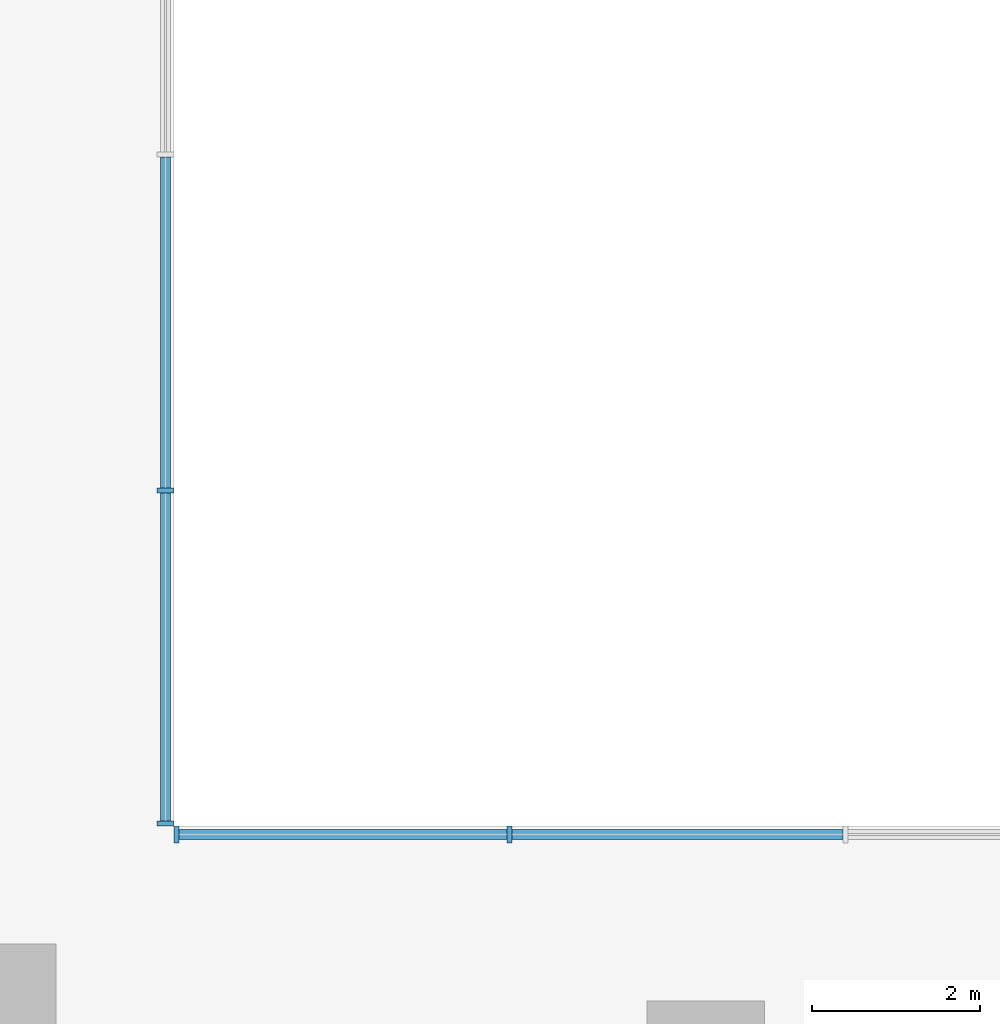
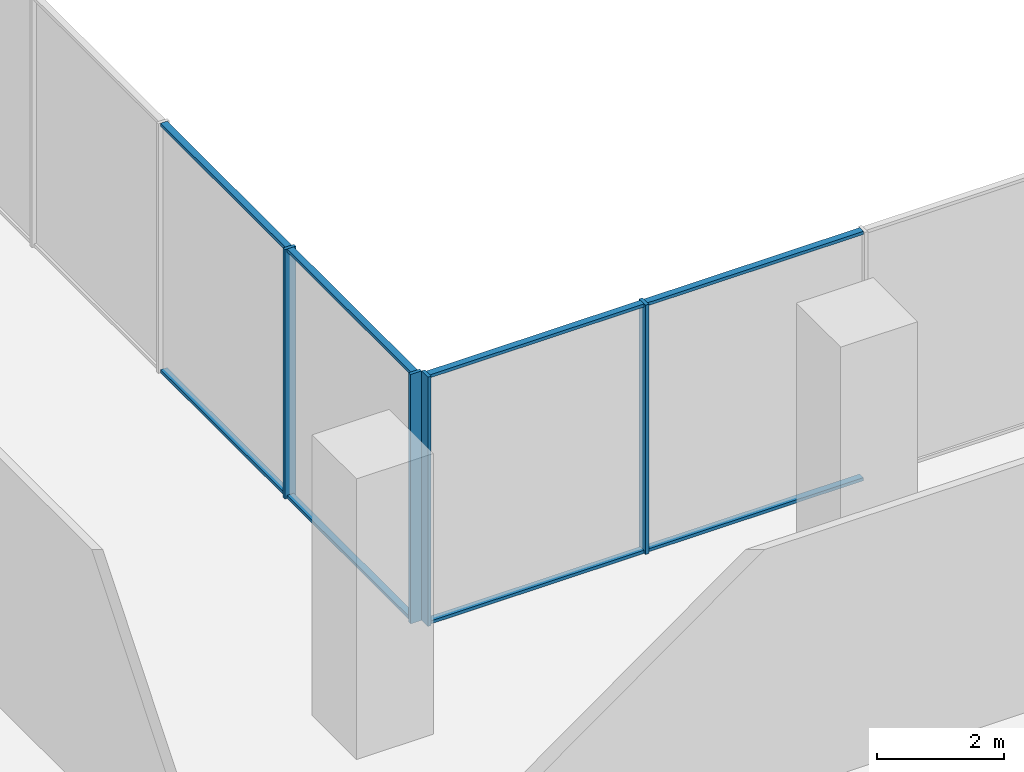
# One storey, part 6 of 22: 12 members, 2 elements without a shape of their own.
"""IFC4 building model written with IfcOpenShell, lengths in metres."""

import ifcopenshell
import ifcopenshell.guid

model = None  # the IFC model being written
_history = None  # IfcOwnerHistory: only IFC2X3 demands one
_inside = {}  # id of a spatial element -> (the spatial element, [elements in it])
_under = {}  # id of a project, library or spatial element -> (it, [spatial elements below it])
_declared = {}  # id of a project -> (the project, [libraries it declares])
_typed = {}  # id of a type object -> (the type object, [elements of that type])
_made_of = {}  # id of a material, layer set ... -> (it, [elements and type objects made of it])


def new_model(schema):
    """Start an empty IFC model of exactly this schema.

    Asked for "IFC4X3", IfcOpenShell would pick the latest addendum, in which some entities
    have other attributes; the version numbers below select the first issue.
    IFC2X3 requires an IfcOwnerHistory on every rooted entity: one is made here for all.
    """
    global model, _history
    if schema == "IFC4X3":
        model = ifcopenshell.file(schema_version=(4, 3, 0, 0))
    else:
        model = ifcopenshell.file(schema=schema)
    _inside.clear()
    _under.clear()
    _declared.clear()
    _typed.clear()
    _made_of.clear()
    _history = None
    if model.schema == "IFC2X3":
        org = make("IfcOrganization", Name="unknown")
        user = make(
            "IfcPersonAndOrganization",
            ThePerson=make("IfcPerson", FamilyName="unknown"),
            TheOrganization=org,
        )
        app = make(
            "IfcApplication",
            ApplicationDeveloper=org,
            Version="unknown",
            ApplicationFullName="unknown",
            ApplicationIdentifier="unknown",
        )
        _history = make(
            "IfcOwnerHistory",
            OwningUser=user,
            OwningApplication=app,
            ChangeAction="ADDED",
            CreationDate=0,
        )
    return model


def make(cls, **values):
    """One entity of the class cls with the attributes given. An attribute that is None is left unset."""
    return model.create_entity(
        cls, **{name: value for name, value in values.items() if value is not None}
    )


def rooted(cls, **values):
    """An entity with a GlobalId (a new one), such as an element, a storey or a relation."""
    return make(cls, GlobalId=ifcopenshell.guid.new(), OwnerHistory=_history, **values)


def si_unit(unit_type, name, prefix=None):
    """IfcSIUnit, for example si_unit("LENGTHUNIT", "METRE", prefix="MILLI")."""
    return make("IfcSIUnit", UnitType=unit_type, Prefix=prefix, Name=name)


def assignment(units):
    """IfcUnitAssignment: the units of a project."""
    return None if units is None else make("IfcUnitAssignment", Units=units)


def point(xyz):
    """IfcCartesianPoint."""
    return None if xyz is None else make("IfcCartesianPoint", Coordinates=xyz)


def direction(xyz):
    """IfcDirection."""
    return None if xyz is None else make("IfcDirection", DirectionRatios=xyz)


def frame(location, z_axis=None, x_axis=None):
    """IfcAxis2Placement3D, a coordinate frame: its origin and axes. An axis left out is left unset."""
    return make(
        "IfcAxis2Placement3D",
        Location=point(location),
        Axis=direction(z_axis),
        RefDirection=direction(x_axis),
    )


def frame_2d(location, x_axis=None):
    """IfcAxis2Placement2D, a coordinate frame in the plane: its origin and x axis."""
    return make(
        "IfcAxis2Placement2D", Location=point(location), RefDirection=direction(x_axis)
    )


def origin():
    """The frame at (0, 0, 0) with its axes left unset."""
    return frame((0.0, 0.0, 0.0))


def origin_2d():
    """The frame at (0, 0) in the plane with its x axis left unset."""
    return frame_2d((0.0, 0.0))


def place(relative_to, where):
    """IfcLocalPlacement: puts the frame where relative to a parent placement (None: the world)."""
    return make(
        "IfcLocalPlacement", PlacementRelTo=relative_to, RelativePlacement=where
    )


def context(
    kind, dimensions, precision=None, world=None, true_north=None, identifier=None
):
    """IfcGeometricRepresentationContext, for example the 3D "Model" context."""
    return make(
        "IfcGeometricRepresentationContext",
        ContextIdentifier=identifier,
        ContextType=kind,
        CoordinateSpaceDimension=dimensions,
        Precision=precision,
        WorldCoordinateSystem=world,
        TrueNorth=true_north,
    )


def subcontext(parent, identifier, kind, view, scale=None):
    """IfcGeometricRepresentationSubContext, for example "Body" below "Model"."""
    return make(
        "IfcGeometricRepresentationSubContext",
        ContextIdentifier=identifier,
        ContextType=kind,
        ParentContext=parent,
        TargetScale=scale,
        TargetView=view,
    )


def project(units=None, contexts=None):
    """IfcProject with its units and contexts."""
    return rooted(
        "IfcProject",
        Name="project",
        RepresentationContexts=contexts,
        UnitsInContext=assignment(units),
    )


def spatial(cls, under=None, at=None, **own):
    """A site, building, storey or space (cls), placed at a placement, below another one or the project."""
    s = rooted(cls, ObjectPlacement=at, **own)
    if under is not None:
        _under.setdefault(under.id(), (under, []))[1].append(s)
    return s


def profile(cls, at=None, kind="AREA", **sizes):
    """A parametric profile (cls). Its sizes go by their IFC names, for example OverallWidth=200.0."""
    return make(cls, ProfileType=kind, Position=at, **sizes)


def rectangle(**sizes):
    """IfcRectangleProfileDef."""
    return profile("IfcRectangleProfileDef", **sizes)


def extrude(swept, where, along, depth):
    """IfcExtrudedAreaSolid: the profile swept, set in the frame where, extruded along a direction by depth."""
    return make(
        "IfcExtrudedAreaSolid",
        SweptArea=swept,
        Position=where,
        ExtrudedDirection=direction(along),
        Depth=depth,
    )


def shape(context_of_items, identifier, shape_type, items):
    """IfcShapeRepresentation: the items that make up one representation, for example the "Body"."""
    return make(
        "IfcShapeRepresentation",
        ContextOfItems=context_of_items,
        RepresentationIdentifier=identifier,
        RepresentationType=shape_type,
        Items=items,
    )


def source(mapping_origin, context_of_items, identifier, shape_type, items):
    """IfcRepresentationMap: a shape defined once, which mapped items show again and again."""
    return make(
        "IfcRepresentationMap",
        MappingOrigin=mapping_origin,
        MappedRepresentation=shape(context_of_items, identifier, shape_type, items),
    )


def transform(
    local_origin,
    x_axis=None,
    y_axis=None,
    z_axis=None,
    scale=None,
    scale2=None,
    scale3=None,
    uniform=True,
):
    """IfcCartesianTransformationOperator3D, or its non-uniform kind. x_axis, y_axis, z_axis: its Axis1, 2, 3."""
    if uniform:
        return make(
            "IfcCartesianTransformationOperator3D",
            Axis1=direction(x_axis),
            Axis2=direction(y_axis),
            LocalOrigin=point(local_origin),
            Scale=scale,
            Axis3=direction(z_axis),
        )
    return make(
        "IfcCartesianTransformationOperator3DnonUniform",
        Axis1=direction(x_axis),
        Axis2=direction(y_axis),
        LocalOrigin=point(local_origin),
        Scale=scale,
        Axis3=direction(z_axis),
        Scale2=scale2,
        Scale3=scale3,
    )


def mapped(mapping_source, mapping_target):
    """IfcMappedItem: shows the shape of a source again, moved by a transform."""
    return make(
        "IfcMappedItem", MappingSource=mapping_source, MappingTarget=mapping_target
    )


def material(Name=None, Category=None):
    """IfcMaterial."""
    return make("IfcMaterial", Name=Name, Category=Category)


def layer(
    of_material, thickness, ventilated=None, Name=None, Category=None, Priority=None
):
    """IfcMaterialLayer: one layer of a wall or slab, of a material (None: an air gap)."""
    return make(
        "IfcMaterialLayer",
        Material=of_material,
        LayerThickness=thickness,
        IsVentilated=ventilated,
        Name=Name,
        Category=Category,
        Priority=Priority,
    )


def layer_set(layers, Name=None):
    """IfcMaterialLayerSet."""
    return make("IfcMaterialLayerSet", MaterialLayers=layers, LayerSetName=Name)


def material_profile(
    of_material, cross_section, Name=None, Category=None, Priority=None
):
    """IfcMaterialProfile: a cross section and its material."""
    return make(
        "IfcMaterialProfile",
        Name=Name,
        Material=of_material,
        Profile=cross_section,
        Priority=Priority,
        Category=Category,
    )


def profile_set(profiles, Name=None, composite=None):
    """IfcMaterialProfileSet."""
    return make(
        "IfcMaterialProfileSet",
        Name=Name,
        MaterialProfiles=profiles,
        CompositeProfile=composite,
    )


def made_of(thing, what):
    """Note that an element or type object is made of a material, layer set ...; save() writes the relation."""
    if what is not None:
        _made_of.setdefault(what.id(), (what, []))[1].append(thing)
    return thing


def type_object(cls, material=None, **own):
    """A type object (cls), such as IfcWallType, which elements share."""
    return made_of(rooted(cls, **own), material)


def element(
    cls,
    number,
    at=None,
    inside=None,
    cuts=None,
    type_object=None,
    material=None,
    context=None,
    identifier="Body",
    shape_type=None,
    held_by="IfcProductDefinitionShape",
    body=None,
    shapes=None,
    **own,
):
    """One element of the class cls, such as IfcWall. Its Tag is "e" and its number.

    at: its placement. inside: the storey or other place that contains it. cuts: it is an
    opening in that element (IfcRelVoidsElement). A single representation is given by context,
    identifier, shape_type and body (its items); several are given by shapes. held_by: the class
    of the entity that holds the representations. save() writes the other relations.
    """
    e = rooted(cls, Tag="e%d" % number, ObjectPlacement=at, **own)
    if body is not None:
        shapes = [shape(context, identifier, shape_type, body)]
    if shapes is not None:
        e.Representation = make(held_by, Representations=shapes)
    if inside is not None:
        _inside.setdefault(inside.id(), (inside, []))[1].append(e)
    if cuts is not None:
        rooted(
            "IfcRelVoidsElement", RelatingBuildingElement=cuts, RelatedOpeningElement=e
        )
    if type_object is not None:
        _typed.setdefault(type_object.id(), (type_object, []))[1].append(e)
    return made_of(e, material)


def aggregate(whole, parts):
    """IfcRelAggregates: a whole, such as a stair, and the parts it consists of."""
    return rooted("IfcRelAggregates", RelatingObject=whole, RelatedObjects=parts)


def save(model, path):
    """Write the relations noted so far, then the file.

    IfcRelAggregates (storeys below a building ...), IfcRelContainedInSpatialStructure (elements
    in a storey), IfcRelDefinesByType, IfcRelAssociatesMaterial and IfcRelDeclares: one each for
    every whole, place, type object, material and project.
    """
    for whole, parts in _under.values():
        aggregate(whole, parts)
    for where, things in _inside.values():
        rooted(
            "IfcRelContainedInSpatialStructure",
            RelatedElements=things,
            RelatingStructure=where,
        )
    for kind, things in _typed.values():
        rooted("IfcRelDefinesByType", RelatedObjects=things, RelatingType=kind)
    for what, things in _made_of.values():
        rooted("IfcRelAssociatesMaterial", RelatedObjects=things, RelatingMaterial=what)
    for by, libraries in _declared.values():
        rooted("IfcRelDeclares", RelatingContext=by, RelatedDefinitions=libraries)
    model.write(path)


model = new_model("IFC4")

# Units and contexts
model_context = context("Model", 3, precision=1e-05, world=origin(), true_north=direction((0.0, 1.0)))
body_context = subcontext(model_context, "Body", "Model", "MODEL_VIEW")
ifc_project = project(units=[si_unit("LENGTHUNIT", "METRE"), si_unit("AREAUNIT", "SQUARE_METRE"), si_unit("VOLUMEUNIT", "CUBIC_METRE"), si_unit("PLANEANGLEUNIT", "RADIAN"), si_unit("MASSUNIT", "GRAM", prefix="KILO")], contexts=[model_context])

# Site, building, storey
site_placement = place(None, origin())
site = spatial("IfcSite", under=ifc_project, at=site_placement, CompositionType="ELEMENT")
building_placement = place(site_placement, origin())
building = spatial("IfcBuilding", under=site, at=building_placement, Name="Aurelian Terraces", CompositionType="ELEMENT")
storey_placement = place(building_placement, frame((0.0, 0.0, 7.5)))
storey = spatial("IfcBuildingStorey", under=building, at=storey_placement, Name="L01", CompositionType="ELEMENT", Elevation=7.5)

# Curtain wall, members
ifc_material_1 = material(Name="Anodised aluminium and clear glazing", Category="aluminium")
ifc_layer = layer(ifc_material_1, 0.2)
ifc_layer_set = layer_set([ifc_layer], Name="Podium shopfront curtain wall")
curtain_wall_type = type_object("IfcCurtainWallType", Name="Podium shopfront curtain wall", PredefinedType="NOTDEFINED", material=ifc_layer_set)
curtain_wall_1_placement = place(storey_placement, origin())
curtain_wall_1 = element("IfcCurtainWall", 1, at=curtain_wall_1_placement, inside=storey, type_object=curtain_wall_type, Name="Podium shopfront L01 F03.1", PredefinedType="NOTDEFINED")
ifc_material_2 = material(Name="Anodised aluminium", Category="aluminium")
ifc_material_profile_1 = material_profile(ifc_material_2, rectangle(XDim=0.12, YDim=0.06, at=origin_2d()))
ifc_profile_set_1 = profile_set([ifc_material_profile_1], Name="Anodised aluminium")
member_type_1 = type_object("IfcMemberType", Name="Podium shopfront transom", PredefinedType="USERDEFINED", material=ifc_profile_set_1)
shared_shape_1 = source(origin(), body_context, "Body", "SweptSolid", [
    extrude(rectangle(XDim=0.12, YDim=0.06, at=origin_2d()), origin(), (0.0, 0.0, 1.0), 3.93),
])
member_1_placement = place(storey_placement, frame((62.13, 54.08, 0.03), z_axis=(-1.0, 0.0, 0.0), x_axis=(0.0, -1.0, 0.0)))
member_1 = element("IfcMember", 2, at=member_1_placement, type_object=member_type_1, Name="CW1 transom 7.1", ObjectType="TRANSOM", PredefinedType="USERDEFINED", context=body_context, shape_type="MappedRepresentation", body=[
    mapped(shared_shape_1, transform((0.0, 0.0, 0.0), scale=1.0)),
])
member_2_placement = place(storey_placement, frame((62.13, 54.08, 4.77), z_axis=(-1.0, 0.0, 0.0), x_axis=(0.0, -1.0, 0.0)))
member_2 = element("IfcMember", 3, at=member_2_placement, type_object=member_type_1, Name="CW1 transom 7.2", ObjectType="TRANSOM", PredefinedType="USERDEFINED", context=body_context, shape_type="MappedRepresentation", body=[
    mapped(shared_shape_1, transform((0.0, 0.0, 0.0), scale=1.0)),
])

curtain_wall_2_placement = place(storey_placement, origin())
curtain_wall_2 = element("IfcCurtainWall", 4, at=curtain_wall_2_placement, inside=storey, type_object=curtain_wall_type, Name="Podium shopfront L01 F04.1", PredefinedType="NOTDEFINED")
member_3_placement = place(storey_placement, frame((54.08, 58.2, 0.03), z_axis=(0.0, 1.0, 0.0), x_axis=(-1.0, 0.0, 0.0)))
member_3 = element("IfcMember", 5, at=member_3_placement, type_object=member_type_1, Name="CW1 transom 2.1", ObjectType="TRANSOM", PredefinedType="USERDEFINED", context=body_context, shape_type="MappedRepresentation", body=[
    mapped(shared_shape_1, transform((0.0, 0.0, 0.0), scale=1.0)),
])
member_4_placement = place(storey_placement, frame((54.08, 58.2, 4.77), z_axis=(0.0, 1.0, 0.0), x_axis=(-1.0, 0.0, 0.0)))
member_4 = element("IfcMember", 6, at=member_4_placement, type_object=member_type_1, Name="CW1 transom 2.2", ObjectType="TRANSOM", PredefinedType="USERDEFINED", context=body_context, shape_type="MappedRepresentation", body=[
    mapped(shared_shape_1, transform((0.0, 0.0, 0.0), scale=1.0)),
])

# Member
ifc_material_profile_2 = material_profile(ifc_material_2, rectangle(XDim=0.2, YDim=0.06, at=origin_2d()))
ifc_profile_set_2 = profile_set([ifc_material_profile_2], Name="Anodised aluminium")
member_type_2 = type_object("IfcMemberType", Name="Podium shopfront mullion", PredefinedType="MULLION", material=ifc_profile_set_2)
shared_shape_2 = source(origin(), body_context, "Body", "SweptSolid", [
    extrude(rectangle(XDim=0.2, YDim=0.06, at=origin_2d()), origin(), (0.0, 0.0, 1.0), 4.8),
])
member_5_placement = place(storey_placement, frame((58.17, 54.08, 0.0), z_axis=(0.0, 0.0, 1.0), x_axis=(0.0, -1.0, 0.0)))
member_5 = element("IfcMember", 7, at=member_5_placement, type_object=member_type_2, Name="CW1 mullion 8", PredefinedType="MULLION", context=body_context, shape_type="MappedRepresentation", body=[
    mapped(shared_shape_2, transform((0.0, 0.0, 0.0), scale=1.0)),
])

member_6_placement = place(storey_placement, frame((54.21, 54.08, 0.0), z_axis=(0.0, 0.0, 1.0), x_axis=(0.0, -1.0, 0.0)))
member_6 = element("IfcMember", 8, at=member_6_placement, type_object=member_type_2, Name="CW1 mullion 9", PredefinedType="MULLION", context=body_context, shape_type="MappedRepresentation", body=[
    mapped(shared_shape_2, transform((0.0, 0.0, 0.0), scale=1.0)),
])

member_7_placement = place(storey_placement, frame((54.08, 54.21, 0.0), z_axis=(0.0, 0.0, 1.0), x_axis=(-1.0, 0.0, 0.0)))
member_7 = element("IfcMember", 9, at=member_7_placement, type_object=member_type_2, Name="CW1 mullion 1", PredefinedType="MULLION", context=body_context, shape_type="MappedRepresentation", body=[
    mapped(shared_shape_2, transform((0.0, 0.0, 0.0), scale=1.0)),
])

member_8_placement = place(storey_placement, frame((54.08, 58.17, 0.0), z_axis=(0.0, 0.0, 1.0), x_axis=(-1.0, 0.0, 0.0)))
member_8 = element("IfcMember", 10, at=member_8_placement, type_object=member_type_2, Name="CW1 mullion 2", PredefinedType="MULLION", context=body_context, shape_type="MappedRepresentation", body=[
    mapped(shared_shape_2, transform((0.0, 0.0, 0.0), scale=1.0)),
])

shared_shape_3 = source(origin(), body_context, "Body", "SweptSolid", [
    extrude(rectangle(XDim=0.12, YDim=0.06, at=origin_2d()), origin(), (0.0, 0.0, 1.0), 3.9),
])
member_9_placement = place(storey_placement, frame((58.14, 54.08, 0.03), z_axis=(-1.0, 0.0, 0.0), x_axis=(0.0, -1.0, 0.0)))
member_9 = element("IfcMember", 11, at=member_9_placement, type_object=member_type_1, Name="CW1 transom 8.1", ObjectType="TRANSOM", PredefinedType="USERDEFINED", context=body_context, shape_type="MappedRepresentation", body=[
    mapped(shared_shape_3, transform((0.0, 0.0, 0.0), scale=1.0)),
])

member_10_placement = place(storey_placement, frame((58.14, 54.08, 4.77), z_axis=(-1.0, 0.0, 0.0), x_axis=(0.0, -1.0, 0.0)))
member_10 = element("IfcMember", 12, at=member_10_placement, type_object=member_type_1, Name="CW1 transom 8.2", ObjectType="TRANSOM", PredefinedType="USERDEFINED", context=body_context, shape_type="MappedRepresentation", body=[
    mapped(shared_shape_3, transform((0.0, 0.0, 0.0), scale=1.0)),
])

aggregate(curtain_wall_1, [member_5, member_6, member_1, member_2, member_9, member_10])

member_11_placement = place(storey_placement, frame((54.08, 54.24, 0.03), z_axis=(0.0, 1.0, 0.0), x_axis=(-1.0, 0.0, 0.0)))
member_11 = element("IfcMember", 13, at=member_11_placement, type_object=member_type_1, Name="CW1 transom 1.1", ObjectType="TRANSOM", PredefinedType="USERDEFINED", context=body_context, shape_type="MappedRepresentation", body=[
    mapped(shared_shape_3, transform((0.0, 0.0, 0.0), scale=1.0)),
])

member_12_placement = place(storey_placement, frame((54.08, 54.24, 4.77), z_axis=(0.0, 1.0, 0.0), x_axis=(-1.0, 0.0, 0.0)))
member_12 = element("IfcMember", 14, at=member_12_placement, type_object=member_type_1, Name="CW1 transom 1.2", ObjectType="TRANSOM", PredefinedType="USERDEFINED", context=body_context, shape_type="MappedRepresentation", body=[
    mapped(shared_shape_3, transform((0.0, 0.0, 0.0), scale=1.0)),
])

aggregate(curtain_wall_2, [member_7, member_8, member_11, member_12, member_3, member_4])

save(model, "model.ifc")
